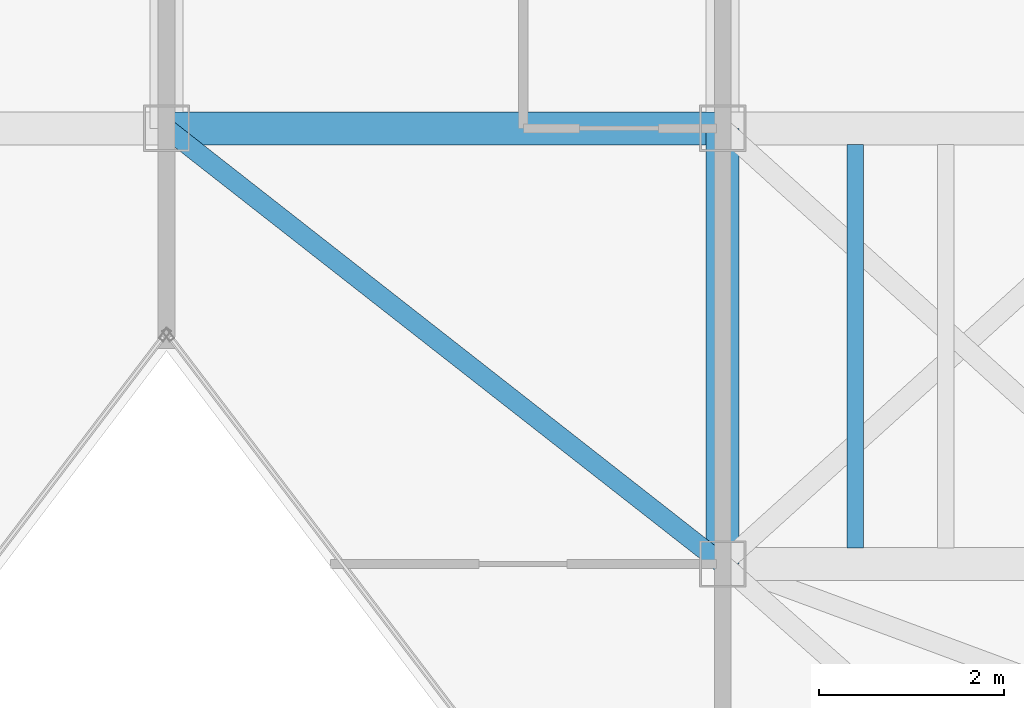
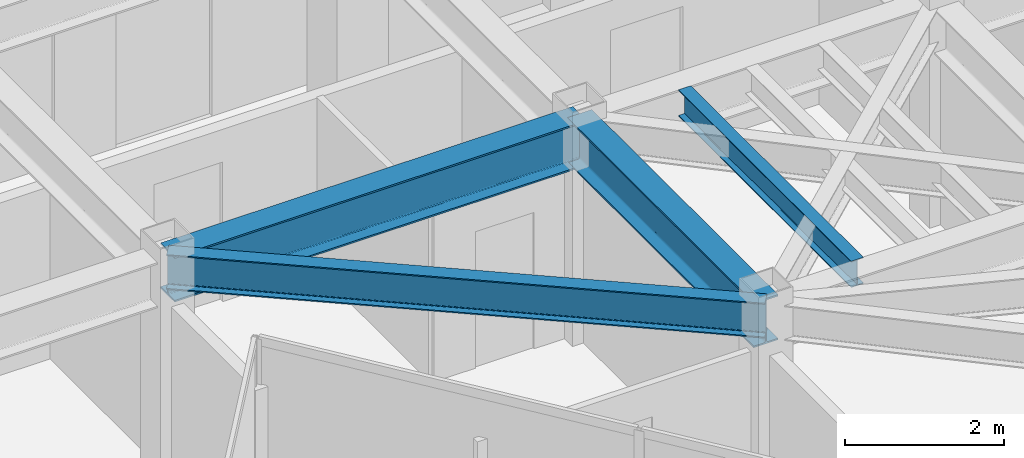
# One storey, part 9 of 20: 4 beams.
"""IFC4 building model written with IfcOpenShell, lengths in metres."""

from ifc_helpers import new_model, si_unit, direction, frame, origin, origin_2d, place, context, subcontext, project, spatial, i_section, extrude, material, material_profile, profile_set, type_object, element, save


model = new_model("IFC4")

# Units and contexts
model_context = context("Model", 3, precision=1e-05, world=origin(), true_north=direction((0.0, 1.0)))
body_context = subcontext(model_context, "Body", "Model", "MODEL_VIEW")
ifc_project = project(units=[si_unit("LENGTHUNIT", "METRE"), si_unit("AREAUNIT", "SQUARE_METRE"), si_unit("VOLUMEUNIT", "CUBIC_METRE"), si_unit("PLANEANGLEUNIT", "RADIAN"), si_unit("MASSUNIT", "GRAM", prefix="KILO")], contexts=[model_context])

# Site, building, storey
site_placement = place(None, origin())
site = spatial("IfcSite", under=ifc_project, at=site_placement, CompositionType="ELEMENT")
building_placement = place(site_placement, origin())
building = spatial("IfcBuilding", under=site, at=building_placement, Name="Kravanh Interchange Tower", CompositionType="ELEMENT")
storey_placement = place(building_placement, frame((0.0, 0.0, 241.800048828125)))
storey = spatial("IfcBuildingStorey", under=building, at=storey_placement, Name="L58", CompositionType="ELEMENT", Elevation=241.800048828125)

# Beams
ifc_material_1 = material(Name="Structural Steel S355", Category="steel")
ifc_material_profile_1 = material_profile(ifc_material_1, i_section(OverallWidth=0.35498046875, OverallDepth=0.696044921875, WebThickness=0.015380859375, FlangeThickness=0.02490234375, FilletRadius=0.02392578125, at=origin_2d()), Name="W27X146")
ifc_profile_set_1 = profile_set([ifc_material_profile_1], Name="Structural Steel S355")
beam_type_1 = type_object("IfcBeamType", Name="Floor Beam W27X146 Structural Steel S355", PredefinedType="BEAM", material=ifc_profile_set_1)
beam_1_placement = place(storey_placement, frame((44.800048828125, 31.5, 3.001953125), z_axis=(1.0, 0.0, 0.0), x_axis=(0.0, 1.0, 0.0)))
element("IfcBeam", 1, at=beam_1_placement, inside=storey, type_object=beam_type_1, Name="L58 Primary Floor Girder 2", PredefinedType="BEAM", context=body_context, shape_type="SweptSolid", body=[
    extrude(i_section(OverallWidth=0.35498046875, OverallDepth=0.696044921875, WebThickness=0.015380859375, FlangeThickness=0.02490234375, FilletRadius=0.02392578125, at=origin_2d()), origin(), (0.0, 0.0, 1.0), 6.0),
])
beam_2_placement = place(storey_placement, frame((50.800048828125, 31.5, 3.001953125), z_axis=(0.0, -1.0, 0.0), x_axis=(1.0, 0.0, 0.0)))
element("IfcBeam", 2, at=beam_2_placement, inside=storey, type_object=beam_type_1, Name="L58 Primary Floor Girder 5", PredefinedType="BEAM", context=body_context, shape_type="SweptSolid", body=[
    extrude(i_section(OverallWidth=0.35498046875, OverallDepth=0.696044921875, WebThickness=0.015380859375, FlangeThickness=0.02490234375, FilletRadius=0.02392578125, at=origin_2d()), origin(), (0.0, 0.0, 1.0), 4.699951171875),
])
ifc_material_2 = material(Name="Structural Steel S355", Category="steel")
ifc_material_profile_2 = material_profile(ifc_material_2, i_section(OverallWidth=0.177978515625, OverallDepth=0.406005859375, WebThickness=0.0078125, FlangeThickness=0.0126953125, FilletRadius=0.01611328125, at=origin_2d()), Name="W16X40")
ifc_profile_set_2 = profile_set([ifc_material_profile_2], Name="Structural Steel S355")
beam_type_2 = type_object("IfcBeamType", Name="Floor Joist W16X40 Structural Steel S355", PredefinedType="JOIST", material=ifc_profile_set_2)
beam_3_placement = place(storey_placement, frame((52.22998046875, 26.972412109375, 3.14697265625), z_axis=(0.0, 1.0, 0.0), x_axis=(-1.0, 0.0, 0.0)))
element("IfcBeam", 3, at=beam_3_placement, inside=storey, type_object=beam_type_2, Name="L58 Secondary Floor Joist 10", PredefinedType="JOIST", context=body_context, shape_type="SweptSolid", body=[
    extrude(i_section(OverallWidth=0.177978515625, OverallDepth=0.406005859375, WebThickness=0.0078125, FlangeThickness=0.0126953125, FilletRadius=0.01611328125, at=origin_2d()), origin(), (0.0, 0.0, 1.0), 4.35498046875),
])
ifc_material_3 = material(Name="Structural Steel S355", Category="steel")
ifc_material_profile_3 = material_profile(ifc_material_3, i_section(OverallWidth=0.2099609375, OverallDepth=0.537109375, WebThickness=0.010986328125, FlangeThickness=0.017333984375, FilletRadius=0.02001953125, at=origin_2d()), Name="W21X68")
ifc_profile_set_3 = profile_set([ifc_material_profile_3], Name="Structural Steel S355")
beam_type_3 = type_object("IfcBeamType", Name="Floor Spandrel W21X68 Structural Steel S355", PredefinedType="SPANDREL", material=ifc_profile_set_3)
beam_4_placement = place(storey_placement, frame((44.800048828125, 31.5, 3.08154296875), z_axis=(0.787231163579, -0.616658004967, 0.0), x_axis=(0.616658004967, 0.787231163579, 0.0)))
element("IfcBeam", 4, at=beam_4_placement, inside=storey, type_object=beam_type_3, Name="L58 Perimeter Spandrel 4", PredefinedType="SPANDREL", context=body_context, shape_type="SweptSolid", body=[
    extrude(i_section(OverallWidth=0.2099609375, OverallDepth=0.537109375, WebThickness=0.010986328125, FlangeThickness=0.017333984375, FilletRadius=0.02001953125, at=origin_2d()), origin(), (0.0, 0.0, 1.0), 7.62158203125),
])

save(model, "model.ifc")
